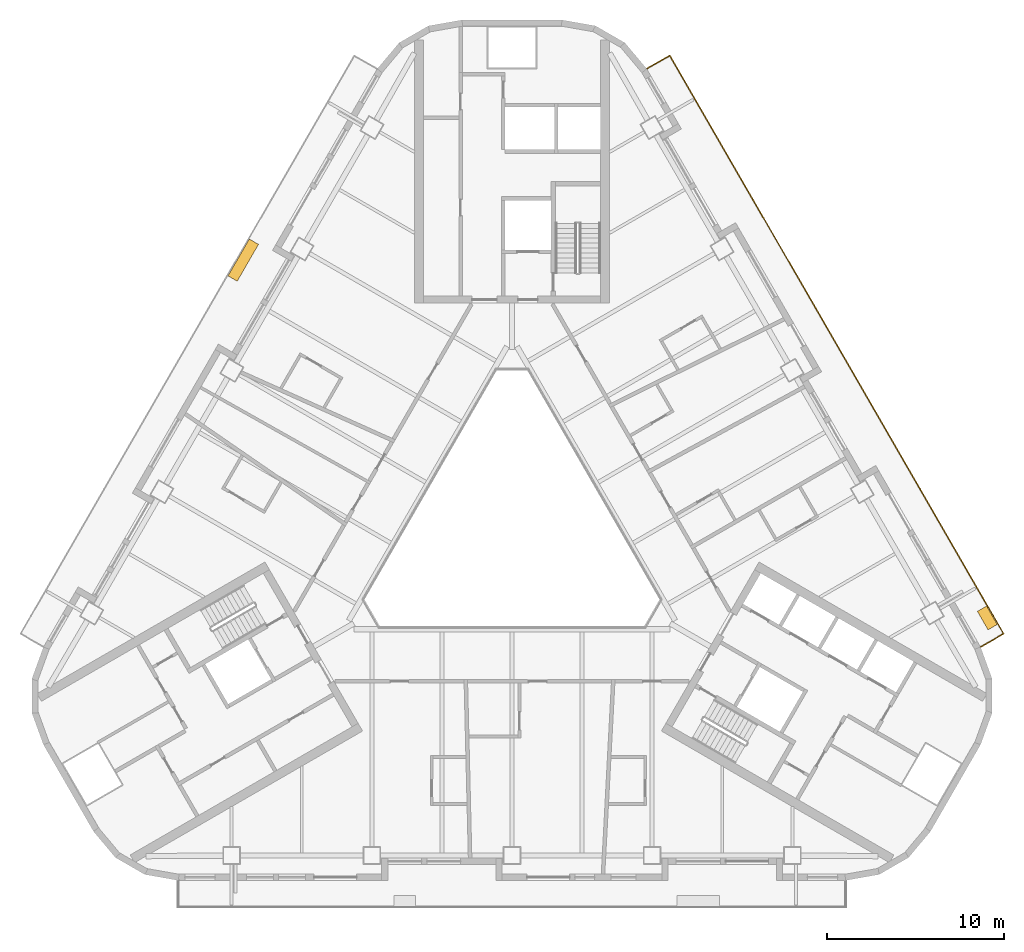
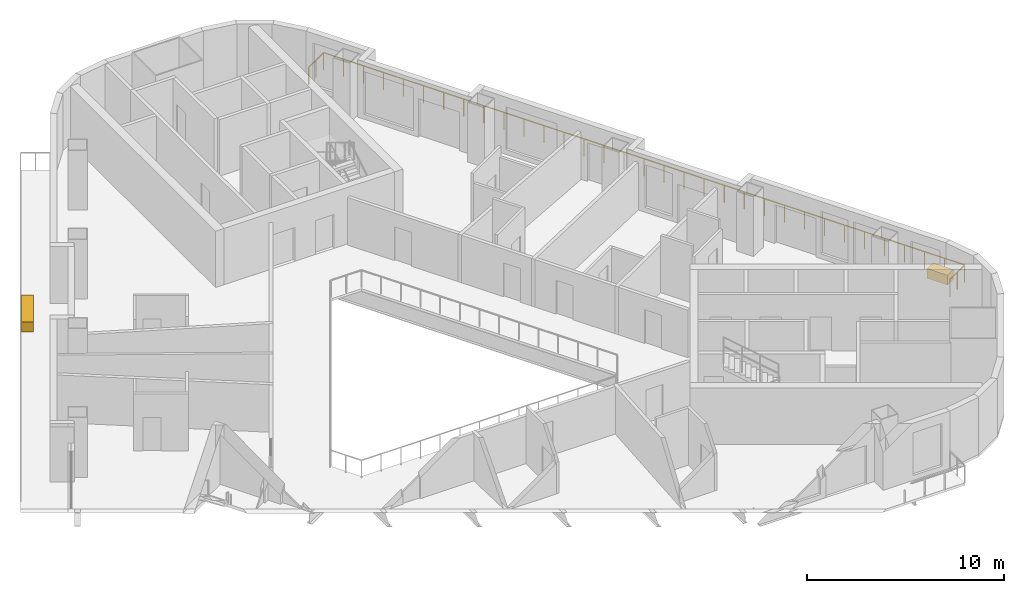
# One storey, part 12 of 13: 2 coverings, 1 railing.
"""IFC4 building model written with IfcOpenShell, lengths in metres."""

import ifcopenshell
import ifcopenshell.guid

model = None  # the IFC model being written
_history = None  # IfcOwnerHistory: only IFC2X3 demands one
_inside = {}  # id of a spatial element -> (the spatial element, [elements in it])
_under = {}  # id of a project, library or spatial element -> (it, [spatial elements below it])
_declared = {}  # id of a project -> (the project, [libraries it declares])
_typed = {}  # id of a type object -> (the type object, [elements of that type])
_made_of = {}  # id of a material, layer set ... -> (it, [elements and type objects made of it])


def new_model(schema):
    """Start an empty IFC model of exactly this schema.

    Asked for "IFC4X3", IfcOpenShell would pick the latest addendum, in which some entities
    have other attributes; the version numbers below select the first issue.
    IFC2X3 requires an IfcOwnerHistory on every rooted entity: one is made here for all.
    """
    global model, _history
    if schema == "IFC4X3":
        model = ifcopenshell.file(schema_version=(4, 3, 0, 0))
    else:
        model = ifcopenshell.file(schema=schema)
    _inside.clear()
    _under.clear()
    _declared.clear()
    _typed.clear()
    _made_of.clear()
    _history = None
    if model.schema == "IFC2X3":
        org = make("IfcOrganization", Name="unknown")
        user = make(
            "IfcPersonAndOrganization",
            ThePerson=make("IfcPerson", FamilyName="unknown"),
            TheOrganization=org,
        )
        app = make(
            "IfcApplication",
            ApplicationDeveloper=org,
            Version="unknown",
            ApplicationFullName="unknown",
            ApplicationIdentifier="unknown",
        )
        _history = make(
            "IfcOwnerHistory",
            OwningUser=user,
            OwningApplication=app,
            ChangeAction="ADDED",
            CreationDate=0,
        )
    return model


def make(cls, **values):
    """One entity of the class cls with the attributes given. An attribute that is None is left unset."""
    return model.create_entity(
        cls, **{name: value for name, value in values.items() if value is not None}
    )


def rooted(cls, **values):
    """An entity with a GlobalId (a new one), such as an element, a storey or a relation."""
    return make(cls, GlobalId=ifcopenshell.guid.new(), OwnerHistory=_history, **values)


def si_unit(unit_type, name, prefix=None):
    """IfcSIUnit, for example si_unit("LENGTHUNIT", "METRE", prefix="MILLI")."""
    return make("IfcSIUnit", UnitType=unit_type, Prefix=prefix, Name=name)


def assignment(units):
    """IfcUnitAssignment: the units of a project."""
    return None if units is None else make("IfcUnitAssignment", Units=units)


def point(xyz):
    """IfcCartesianPoint."""
    return None if xyz is None else make("IfcCartesianPoint", Coordinates=xyz)


def direction(xyz):
    """IfcDirection."""
    return None if xyz is None else make("IfcDirection", DirectionRatios=xyz)


def frame(location, z_axis=None, x_axis=None):
    """IfcAxis2Placement3D, a coordinate frame: its origin and axes. An axis left out is left unset."""
    return make(
        "IfcAxis2Placement3D",
        Location=point(location),
        Axis=direction(z_axis),
        RefDirection=direction(x_axis),
    )


def frame_2d(location, x_axis=None):
    """IfcAxis2Placement2D, a coordinate frame in the plane: its origin and x axis."""
    return make(
        "IfcAxis2Placement2D", Location=point(location), RefDirection=direction(x_axis)
    )


def origin():
    """The frame at (0, 0, 0) with its axes left unset."""
    return frame((0.0, 0.0, 0.0))


def origin_2d():
    """The frame at (0, 0) in the plane with its x axis left unset."""
    return frame_2d((0.0, 0.0))


def place(relative_to, where):
    """IfcLocalPlacement: puts the frame where relative to a parent placement (None: the world)."""
    return make(
        "IfcLocalPlacement", PlacementRelTo=relative_to, RelativePlacement=where
    )


def context(
    kind, dimensions, precision=None, world=None, true_north=None, identifier=None
):
    """IfcGeometricRepresentationContext, for example the 3D "Model" context."""
    return make(
        "IfcGeometricRepresentationContext",
        ContextIdentifier=identifier,
        ContextType=kind,
        CoordinateSpaceDimension=dimensions,
        Precision=precision,
        WorldCoordinateSystem=world,
        TrueNorth=true_north,
    )


def subcontext(parent, identifier, kind, view, scale=None):
    """IfcGeometricRepresentationSubContext, for example "Body" below "Model"."""
    return make(
        "IfcGeometricRepresentationSubContext",
        ContextIdentifier=identifier,
        ContextType=kind,
        ParentContext=parent,
        TargetScale=scale,
        TargetView=view,
    )


def project(units=None, contexts=None):
    """IfcProject with its units and contexts."""
    return rooted(
        "IfcProject",
        Name="project",
        RepresentationContexts=contexts,
        UnitsInContext=assignment(units),
    )


def spatial(cls, under=None, at=None, **own):
    """A site, building, storey or space (cls), placed at a placement, below another one or the project."""
    s = rooted(cls, ObjectPlacement=at, **own)
    if under is not None:
        _under.setdefault(under.id(), (under, []))[1].append(s)
    return s


def profile(cls, at=None, kind="AREA", **sizes):
    """A parametric profile (cls). Its sizes go by their IFC names, for example OverallWidth=200.0."""
    return make(cls, ProfileType=kind, Position=at, **sizes)


def rectangle(**sizes):
    """IfcRectangleProfileDef."""
    return profile("IfcRectangleProfileDef", **sizes)


def extrude(swept, where, along, depth):
    """IfcExtrudedAreaSolid: the profile swept, set in the frame where, extruded along a direction by depth."""
    return make(
        "IfcExtrudedAreaSolid",
        SweptArea=swept,
        Position=where,
        ExtrudedDirection=direction(along),
        Depth=depth,
    )


def shape(context_of_items, identifier, shape_type, items):
    """IfcShapeRepresentation: the items that make up one representation, for example the "Body"."""
    return make(
        "IfcShapeRepresentation",
        ContextOfItems=context_of_items,
        RepresentationIdentifier=identifier,
        RepresentationType=shape_type,
        Items=items,
    )


def material(Name=None, Category=None):
    """IfcMaterial."""
    return make("IfcMaterial", Name=Name, Category=Category)


def made_of(thing, what):
    """Note that an element or type object is made of a material, layer set ...; save() writes the relation."""
    if what is not None:
        _made_of.setdefault(what.id(), (what, []))[1].append(thing)
    return thing


def type_object(cls, material=None, **own):
    """A type object (cls), such as IfcWallType, which elements share."""
    return made_of(rooted(cls, **own), material)


def element(
    cls,
    number,
    at=None,
    inside=None,
    cuts=None,
    type_object=None,
    material=None,
    context=None,
    identifier="Body",
    shape_type=None,
    held_by="IfcProductDefinitionShape",
    body=None,
    shapes=None,
    **own,
):
    """One element of the class cls, such as IfcWall. Its Tag is "e" and its number.

    at: its placement. inside: the storey or other place that contains it. cuts: it is an
    opening in that element (IfcRelVoidsElement). A single representation is given by context,
    identifier, shape_type and body (its items); several are given by shapes. held_by: the class
    of the entity that holds the representations. save() writes the other relations.
    """
    e = rooted(cls, Tag="e%d" % number, ObjectPlacement=at, **own)
    if body is not None:
        shapes = [shape(context, identifier, shape_type, body)]
    if shapes is not None:
        e.Representation = make(held_by, Representations=shapes)
    if inside is not None:
        _inside.setdefault(inside.id(), (inside, []))[1].append(e)
    if cuts is not None:
        rooted(
            "IfcRelVoidsElement", RelatingBuildingElement=cuts, RelatedOpeningElement=e
        )
    if type_object is not None:
        _typed.setdefault(type_object.id(), (type_object, []))[1].append(e)
    return made_of(e, material)


def aggregate(whole, parts):
    """IfcRelAggregates: a whole, such as a stair, and the parts it consists of."""
    return rooted("IfcRelAggregates", RelatingObject=whole, RelatedObjects=parts)


def save(model, path):
    """Write the relations noted so far, then the file.

    IfcRelAggregates (storeys below a building ...), IfcRelContainedInSpatialStructure (elements
    in a storey), IfcRelDefinesByType, IfcRelAssociatesMaterial and IfcRelDeclares: one each for
    every whole, place, type object, material and project.
    """
    for whole, parts in _under.values():
        aggregate(whole, parts)
    for where, things in _inside.values():
        rooted(
            "IfcRelContainedInSpatialStructure",
            RelatedElements=things,
            RelatingStructure=where,
        )
    for kind, things in _typed.values():
        rooted("IfcRelDefinesByType", RelatedObjects=things, RelatingType=kind)
    for what, things in _made_of.values():
        rooted("IfcRelAssociatesMaterial", RelatedObjects=things, RelatingMaterial=what)
    for by, libraries in _declared.values():
        rooted("IfcRelDeclares", RelatingContext=by, RelatedDefinitions=libraries)
    model.write(path)


model = new_model("IFC4")

# Units and contexts
model_context = context("Model", 3, precision=1e-05, world=origin(), true_north=direction((0.0, 1.0)))
body_context = subcontext(model_context, "Body", "Model", "MODEL_VIEW")
ifc_project = project(units=[si_unit("LENGTHUNIT", "METRE"), si_unit("AREAUNIT", "SQUARE_METRE"), si_unit("VOLUMEUNIT", "CUBIC_METRE"), si_unit("PLANEANGLEUNIT", "RADIAN"), si_unit("MASSUNIT", "GRAM", prefix="KILO")], contexts=[model_context])

# Site, building, storey
site_placement = place(None, origin())
site = spatial("IfcSite", under=ifc_project, at=site_placement, CompositionType="ELEMENT")
building_placement = place(site_placement, origin())
building = spatial("IfcBuilding", under=site, at=building_placement, Name="Apuvela Tower Hotel", CompositionType="ELEMENT")
storey_placement = place(building_placement, frame((0.0, 0.0, 79.800048828125)))
storey = spatial("IfcBuildingStorey", under=building, at=storey_placement, Name="L17", CompositionType="ELEMENT", Elevation=79.800048828125)

# Railing
ifc_material_1 = material(Name="Stainless steel 316 rail with laminated glass infill", Category="steel")
railing_type = type_object("IfcRailingType", Name="ENV-GUARD-1100", PredefinedType="GUARDRAIL", material=ifc_material_1)
railing_placement = place(storey_placement, frame((26.407958984375, -6.47998046875, 0.0)))
element("IfcRailing", 1, at=railing_placement, inside=storey, type_object=railing_type, Name="Balcony guard NE L17", PredefinedType="GUARDRAIL", context=body_context, shape_type="SweptSolid", body=[
    extrude(rectangle(XDim=0.050048828125, YDim=0.050048828125, at=origin_2d()), frame((0.0, 0.0, 1.0751953125), z_axis=(0.866031096941, 0.499990139034, 0.0), x_axis=(-0.499990139034, 0.866031096941, 0.0)), (0.0, 0.0, 1.0), 1.5),
    extrude(rectangle(XDim=0.050048828125, YDim=0.050048828125, at=origin_2d()), frame((1.299072265625, 0.75, 1.0751953125), z_axis=(-0.500000437506, 0.86602515119, 0.0), x_axis=(-0.86602515119, -0.500000437506, 0.0)), (0.0, 0.0, 1.0), 37.6318359375),
    extrude(rectangle(XDim=0.050048828125, YDim=0.050048828125, at=origin_2d()), frame((-17.516845703125, 33.340087890625, 1.0751953125), z_axis=(-0.86599040064, -0.500060622324, 0.0), x_axis=(0.500060622324, -0.86599040064, 0.0)), (0.0, 0.0, 1.0), 1.499755859375),
    extrude(rectangle(XDim=0.0400390625, YDim=0.0400390625, at=origin_2d()), origin(), (0.0, 0.0, 1.0), 1.050048828125),
    extrude(rectangle(XDim=0.0400390625, YDim=0.0400390625, at=origin_2d()), frame((0.6494140625, 0.375, 0.0)), (0.0, 0.0, 1.0), 1.050048828125),
    extrude(rectangle(XDim=0.0400390625, YDim=0.0400390625, at=origin_2d()), frame((1.299072265625, 0.75, 0.0)), (0.0, 0.0, 1.0), 1.050048828125),
    extrude(rectangle(XDim=0.0400390625, YDim=0.0400390625, at=origin_2d()), frame((0.711181640625, 1.7685546875, 0.0)), (0.0, 0.0, 1.0), 1.050048828125),
    extrude(rectangle(XDim=0.0400390625, YDim=0.0400390625, at=origin_2d()), frame((0.123046875, 2.786865234375, 0.0)), (0.0, 0.0, 1.0), 1.050048828125),
    extrude(rectangle(XDim=0.0400390625, YDim=0.0400390625, at=origin_2d()), frame((-0.46484375, 3.805419921875, 0.0)), (0.0, 0.0, 1.0), 1.050048828125),
    extrude(rectangle(XDim=0.0400390625, YDim=0.0400390625, at=origin_2d()), frame((-1.052978515625, 4.82373046875, 0.0)), (0.0, 0.0, 1.0), 1.050048828125),
    extrude(rectangle(XDim=0.0400390625, YDim=0.0400390625, at=origin_2d()), frame((-1.640869140625, 5.84228515625, 0.0)), (0.0, 0.0, 1.0), 1.050048828125),
    extrude(rectangle(XDim=0.0400390625, YDim=0.0400390625, at=origin_2d()), frame((-2.22900390625, 6.860595703125, 0.0)), (0.0, 0.0, 1.0), 1.050048828125),
    extrude(rectangle(XDim=0.0400390625, YDim=0.0400390625, at=origin_2d()), frame((-2.81689453125, 7.879150390625, 0.0)), (0.0, 0.0, 1.0), 1.050048828125),
    extrude(rectangle(XDim=0.0400390625, YDim=0.0400390625, at=origin_2d()), frame((-3.40478515625, 8.8974609375, 0.0)), (0.0, 0.0, 1.0), 1.050048828125),
    extrude(rectangle(XDim=0.0400390625, YDim=0.0400390625, at=origin_2d()), frame((-3.992919921875, 9.916015625, 0.0)), (0.0, 0.0, 1.0), 1.050048828125),
    extrude(rectangle(XDim=0.0400390625, YDim=0.0400390625, at=origin_2d()), frame((-4.580810546875, 10.934326171875, 0.0)), (0.0, 0.0, 1.0), 1.050048828125),
    extrude(rectangle(XDim=0.0400390625, YDim=0.0400390625, at=origin_2d()), frame((-5.1689453125, 11.952880859375, 0.0)), (0.0, 0.0, 1.0), 1.050048828125),
    extrude(rectangle(XDim=0.0400390625, YDim=0.0400390625, at=origin_2d()), frame((-5.7568359375, 12.97119140625, 0.0)), (0.0, 0.0, 1.0), 1.050048828125),
    extrude(rectangle(XDim=0.0400390625, YDim=0.0400390625, at=origin_2d()), frame((-6.344970703125, 13.98974609375, 0.0)), (0.0, 0.0, 1.0), 1.050048828125),
    extrude(rectangle(XDim=0.0400390625, YDim=0.0400390625, at=origin_2d()), frame((-6.932861328125, 15.008056640625, 0.0)), (0.0, 0.0, 1.0), 1.050048828125),
    extrude(rectangle(XDim=0.0400390625, YDim=0.0400390625, at=origin_2d()), frame((-7.52099609375, 16.026611328125, 0.0)), (0.0, 0.0, 1.0), 1.050048828125),
    extrude(rectangle(XDim=0.0400390625, YDim=0.0400390625, at=origin_2d()), frame((-8.10888671875, 17.044921875, 0.0)), (0.0, 0.0, 1.0), 1.050048828125),
    extrude(rectangle(XDim=0.0400390625, YDim=0.0400390625, at=origin_2d()), frame((-8.69677734375, 18.0634765625, 0.0)), (0.0, 0.0, 1.0), 1.050048828125),
    extrude(rectangle(XDim=0.0400390625, YDim=0.0400390625, at=origin_2d()), frame((-9.284912109375, 19.08203125, 0.0)), (0.0, 0.0, 1.0), 1.050048828125),
    extrude(rectangle(XDim=0.0400390625, YDim=0.0400390625, at=origin_2d()), frame((-9.872802734375, 20.100341796875, 0.0)), (0.0, 0.0, 1.0), 1.050048828125),
    extrude(rectangle(XDim=0.0400390625, YDim=0.0400390625, at=origin_2d()), frame((-10.4609375, 21.118896484375, 0.0)), (0.0, 0.0, 1.0), 1.050048828125),
    extrude(rectangle(XDim=0.0400390625, YDim=0.0400390625, at=origin_2d()), frame((-11.048828125, 22.13720703125, 0.0)), (0.0, 0.0, 1.0), 1.050048828125),
    extrude(rectangle(XDim=0.0400390625, YDim=0.0400390625, at=origin_2d()), frame((-11.636962890625, 23.15576171875, 0.0)), (0.0, 0.0, 1.0), 1.050048828125),
    extrude(rectangle(XDim=0.0400390625, YDim=0.0400390625, at=origin_2d()), frame((-12.224853515625, 24.174072265625, 0.0)), (0.0, 0.0, 1.0), 1.050048828125),
    extrude(rectangle(XDim=0.0400390625, YDim=0.0400390625, at=origin_2d()), frame((-12.81298828125, 25.192626953125, 0.0)), (0.0, 0.0, 1.0), 1.050048828125),
    extrude(rectangle(XDim=0.0400390625, YDim=0.0400390625, at=origin_2d()), frame((-13.40087890625, 26.2109375, 0.0)), (0.0, 0.0, 1.0), 1.050048828125),
    extrude(rectangle(XDim=0.0400390625, YDim=0.0400390625, at=origin_2d()), frame((-13.98876953125, 27.2294921875, 0.0)), (0.0, 0.0, 1.0), 1.050048828125),
    extrude(rectangle(XDim=0.0400390625, YDim=0.0400390625, at=origin_2d()), frame((-14.576904296875, 28.247802734375, 0.0)), (0.0, 0.0, 1.0), 1.050048828125),
    extrude(rectangle(XDim=0.0400390625, YDim=0.0400390625, at=origin_2d()), frame((-15.164794921875, 29.266357421875, 0.0)), (0.0, 0.0, 1.0), 1.050048828125),
    extrude(rectangle(XDim=0.0400390625, YDim=0.0400390625, at=origin_2d()), frame((-15.7529296875, 30.28466796875, 0.0)), (0.0, 0.0, 1.0), 1.050048828125),
    extrude(rectangle(XDim=0.0400390625, YDim=0.0400390625, at=origin_2d()), frame((-16.3408203125, 31.30322265625, 0.0)), (0.0, 0.0, 1.0), 1.050048828125),
    extrude(rectangle(XDim=0.0400390625, YDim=0.0400390625, at=origin_2d()), frame((-16.928955078125, 32.321533203125, 0.0)), (0.0, 0.0, 1.0), 1.050048828125),
    extrude(rectangle(XDim=0.0400390625, YDim=0.0400390625, at=origin_2d()), frame((-17.516845703125, 33.340087890625, 0.0)), (0.0, 0.0, 1.0), 1.050048828125),
    extrude(rectangle(XDim=0.0400390625, YDim=0.0400390625, at=origin_2d()), frame((-18.166259765625, 32.965087890625, 0.0)), (0.0, 0.0, 1.0), 1.050048828125),
    extrude(rectangle(XDim=0.0400390625, YDim=0.0400390625, at=origin_2d()), frame((-18.815673828125, 32.590087890625, 0.0)), (0.0, 0.0, 1.0), 1.050048828125),
])

# Coverings
ifc_material_2 = material(Name="Planting substrate and soil, planted")
covering_type_1 = type_object("IfcCoveringType", Name="ENV-PLANTER-1200x600", PredefinedType="USERDEFINED", material=ifc_material_2)
covering_1_placement = place(storey_placement, frame((26.788818359375, -4.839599609375, 0.0), z_axis=(0.0, 0.0, 1.0), x_axis=(-0.5, 0.866025403784, 0.0)))
element("IfcCovering", 2, at=covering_1_placement, inside=storey, type_object=covering_type_1, Name="Planter NE3", ObjectType="PLANTER", PredefinedType="USERDEFINED", context=body_context, shape_type="SweptSolid", body=[
    extrude(rectangle(XDim=1.199951171875, YDim=0.60009765625, at=origin_2d()), origin(), (0.0, 0.0, 1.0), 0.60009765625),
])
covering_type_2 = type_object("IfcCoveringType", Name="ENV-PLANTER-2400x600", PredefinedType="USERDEFINED", material=ifc_material_2)
covering_2_placement = place(storey_placement, frame((-15.14599609375, 15.326416015625, 0.0), z_axis=(0.0, 0.0, 1.0), x_axis=(-0.5, -0.866025403784, 0.0)))
element("IfcCovering", 3, at=covering_2_placement, inside=storey, type_object=covering_type_2, Name="Planter NW4", ObjectType="PLANTER", PredefinedType="USERDEFINED", context=body_context, shape_type="SweptSolid", body=[
    extrude(rectangle(XDim=2.39990234375, YDim=0.60009765625, at=origin_2d()), origin(), (0.0, 0.0, 1.0), 0.60009765625),
])

save(model, "model.ifc")
